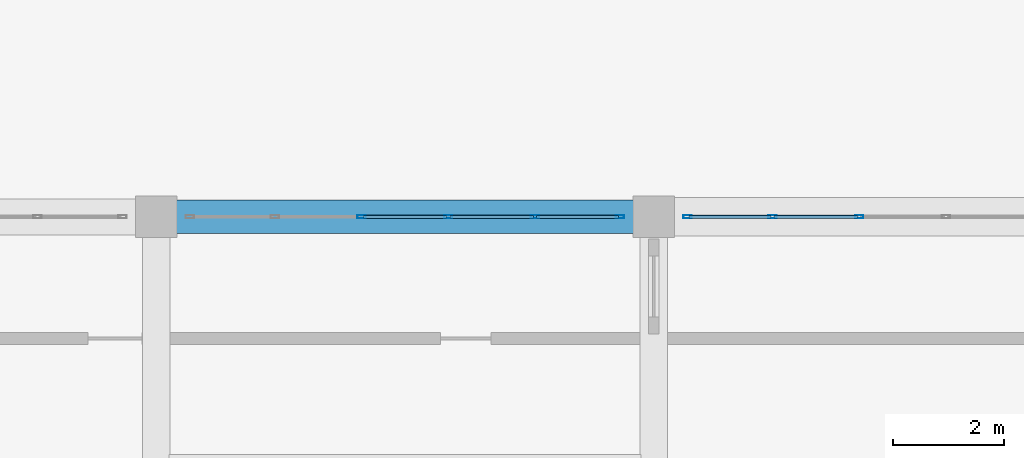
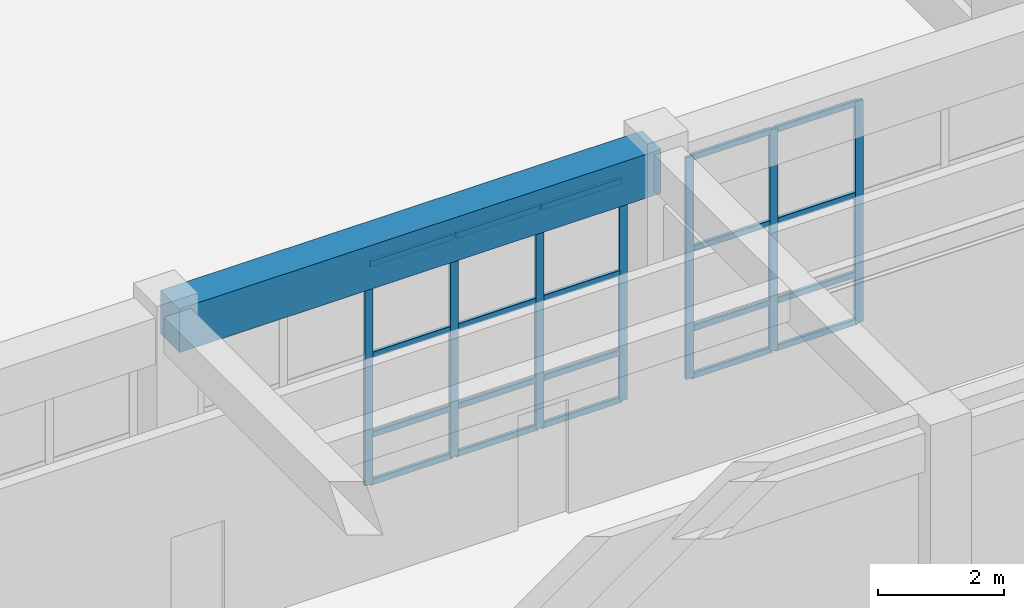
# One storey, part 31 of 128: 27 members, 1 beam, 2 elements without a shape of their own.
"""IFC4 building model written with IfcOpenShell, lengths in metres."""

from ifc_helpers import new_model, si_unit, direction, frame, origin, origin_2d, place, context, subcontext, project, spatial, rectangle, hollow_rectangle, extrude, material, material_profile, profile_set, type_object, element, aggregate, save


model = new_model("IFC4")

# Units and contexts
model_context = context("Model", 3, precision=1e-05, world=origin(), true_north=direction((0.0, 1.0)))
body_context = subcontext(model_context, "Body", "Model", "MODEL_VIEW")
ifc_project = project(units=[si_unit("LENGTHUNIT", "METRE"), si_unit("AREAUNIT", "SQUARE_METRE"), si_unit("VOLUMEUNIT", "CUBIC_METRE"), si_unit("PLANEANGLEUNIT", "RADIAN"), si_unit("MASSUNIT", "GRAM", prefix="KILO")], contexts=[model_context])

# Site, building, storey
site_placement = place(None, origin())
site = spatial("IfcSite", under=ifc_project, at=site_placement, CompositionType="ELEMENT")
building_placement = place(site_placement, origin())
building = spatial("IfcBuilding", under=site, at=building_placement, Name="Miravela Opera House", CompositionType="ELEMENT")
storey_placement = place(building_placement, origin())
storey = spatial("IfcBuildingStorey", under=building, at=storey_placement, Name="L00", CompositionType="ELEMENT", Elevation=0.0)

# Curtain wall, members
ifc_material_1 = material(Name="Anodised architectural bronze aluminium 6063-T6", Category="aluminium")
curtain_wall_type = type_object("IfcCurtainWallType", Name="ARC-CW-06", PredefinedType="NOTDEFINED", material=ifc_material_1)
curtain_wall_1_placement = place(storey_placement, origin())
curtain_wall_1 = element("IfcCurtainWall", 1, at=curtain_wall_1_placement, inside=storey, type_object=curtain_wall_type, Name="Courtyard Arcade Curtain Wall CW-L00-118", PredefinedType="NOTDEFINED")
ifc_material_profile_1 = material_profile(ifc_material_1, hollow_rectangle(XDim=0.06005859375, YDim=0.14990234375, WallThickness=0.00390625, InnerFilletRadius=0.001953125, OuterFilletRadius=0.00390625, at=origin_2d()), Name="CWM-60X150")
ifc_profile_set_1 = profile_set([ifc_material_profile_1])
member_type_1 = type_object("IfcMemberType", Name="ARC-CWM-150", PredefinedType="MULLION", material=ifc_profile_set_1)
member_1_placement = place(storey_placement, frame((48.716064453125, 9.0, 0.0), z_axis=(0.0, 0.0, 1.0), x_axis=(0.0, 1.0, 0.0)))
member_1 = element("IfcMember", 2, at=member_1_placement, type_object=member_type_1, Name="CW-06 mullion 3", PredefinedType="MULLION", context=body_context, shape_type="SweptSolid", body=[
    extrude(hollow_rectangle(XDim=0.06005859375, YDim=0.14990234375, WallThickness=0.00390625, InnerFilletRadius=0.001953125, OuterFilletRadius=0.00390625, at=origin_2d()), origin(), (0.0, 0.0, 1.0), 4.300048828125),
])
member_2_placement = place(storey_placement, frame((50.283935546875, 9.0, 0.0), z_axis=(0.0, 0.0, 1.0), x_axis=(0.0, 1.0, 0.0)))
member_2 = element("IfcMember", 3, at=member_2_placement, type_object=member_type_1, Name="CW-06 mullion 4", PredefinedType="MULLION", context=body_context, shape_type="SweptSolid", body=[
    extrude(hollow_rectangle(XDim=0.06005859375, YDim=0.14990234375, WallThickness=0.00390625, InnerFilletRadius=0.001953125, OuterFilletRadius=0.00390625, at=origin_2d()), origin(), (0.0, 0.0, 1.0), 4.300048828125),
])
member_3_placement = place(storey_placement, frame((51.85205078125, 9.0, 0.0), z_axis=(0.0, 0.0, 1.0), x_axis=(0.0, 1.0, 0.0)))
member_3 = element("IfcMember", 4, at=member_3_placement, type_object=member_type_1, Name="CW-06 mullion 5", PredefinedType="MULLION", context=body_context, shape_type="SweptSolid", body=[
    extrude(hollow_rectangle(XDim=0.06005859375, YDim=0.14990234375, WallThickness=0.00390625, InnerFilletRadius=0.001953125, OuterFilletRadius=0.00390625, at=origin_2d()), origin(), (0.0, 0.0, 1.0), 4.300048828125),
])
member_4_placement = place(storey_placement, frame((53.389892578125, 9.0, 0.0), z_axis=(0.0, 0.0, 1.0), x_axis=(0.0, 1.0, 0.0)))
member_4 = element("IfcMember", 5, at=member_4_placement, type_object=member_type_1, Name="CW-06 mullion 6", PredefinedType="MULLION", context=body_context, shape_type="SweptSolid", body=[
    extrude(hollow_rectangle(XDim=0.06005859375, YDim=0.14990234375, WallThickness=0.00390625, InnerFilletRadius=0.001953125, OuterFilletRadius=0.00390625, at=origin_2d()), origin(), (0.0, 0.0, 1.0), 4.300048828125),
])

curtain_wall_2_placement = place(storey_placement, origin())
curtain_wall_2 = element("IfcCurtainWall", 6, at=curtain_wall_2_placement, inside=storey, type_object=curtain_wall_type, Name="Courtyard Arcade Curtain Wall CW-L00-120", PredefinedType="NOTDEFINED")
member_5_placement = place(storey_placement, frame((54.610107421875, 9.0, 0.0), z_axis=(0.0, 0.0, 1.0), x_axis=(0.0, 1.0, 0.0)))
member_5 = element("IfcMember", 7, at=member_5_placement, type_object=member_type_1, Name="CW-06 mullion 1", PredefinedType="MULLION", context=body_context, shape_type="SweptSolid", body=[
    extrude(hollow_rectangle(XDim=0.06005859375, YDim=0.14990234375, WallThickness=0.00390625, InnerFilletRadius=0.001953125, OuterFilletRadius=0.00390625, at=origin_2d()), origin(), (0.0, 0.0, 1.0), 4.300048828125),
])
member_6_placement = place(storey_placement, frame((56.14794921875, 9.0, 0.0), z_axis=(0.0, 0.0, 1.0), x_axis=(0.0, 1.0, 0.0)))
member_6 = element("IfcMember", 8, at=member_6_placement, type_object=member_type_1, Name="CW-06 mullion 2", PredefinedType="MULLION", context=body_context, shape_type="SweptSolid", body=[
    extrude(hollow_rectangle(XDim=0.06005859375, YDim=0.14990234375, WallThickness=0.00390625, InnerFilletRadius=0.001953125, OuterFilletRadius=0.00390625, at=origin_2d()), origin(), (0.0, 0.0, 1.0), 4.300048828125),
])
member_7_placement = place(storey_placement, frame((57.716064453125, 9.0, 0.0), z_axis=(0.0, 0.0, 1.0), x_axis=(0.0, 1.0, 0.0)))
member_7 = element("IfcMember", 9, at=member_7_placement, type_object=member_type_1, Name="CW-06 mullion 3", PredefinedType="MULLION", context=body_context, shape_type="SweptSolid", body=[
    extrude(hollow_rectangle(XDim=0.06005859375, YDim=0.14990234375, WallThickness=0.00390625, InnerFilletRadius=0.001953125, OuterFilletRadius=0.00390625, at=origin_2d()), origin(), (0.0, 0.0, 1.0), 4.300048828125),
])

# Member
ifc_material_profile_2 = material_profile(ifc_material_1, hollow_rectangle(XDim=0.06005859375, YDim=0.114990234375, WallThickness=0.00390625, InnerFilletRadius=0.001953125, OuterFilletRadius=0.00390625, at=origin_2d()), Name="CWT-60X115")
ifc_profile_set_2 = profile_set([ifc_material_profile_2])
member_type_2 = type_object("IfcMemberType", Name="ARC-CWT-115", PredefinedType="USERDEFINED", material=ifc_profile_set_2)
member_8_placement = place(storey_placement, frame((48.74609375, 9.0, 0.030029296875), z_axis=(1.0, 0.0, 0.0), x_axis=(0.0, 1.0, 0.0)))
member_8 = element("IfcMember", 10, at=member_8_placement, type_object=member_type_2, Name="CW-06 transom 3.1", ObjectType="TRANSOM", PredefinedType="USERDEFINED", context=body_context, shape_type="SweptSolid", body=[
    extrude(hollow_rectangle(XDim=0.06005859375, YDim=0.114990234375, WallThickness=0.00390625, InnerFilletRadius=0.001953125, OuterFilletRadius=0.00390625, at=origin_2d()), origin(), (0.0, 0.0, 1.0), 1.5078125),
])

member_9_placement = place(storey_placement, frame((48.74609375, 9.0, 0.949951171875), z_axis=(1.0, 0.0, 0.0), x_axis=(0.0, 1.0, 0.0)))
member_9 = element("IfcMember", 11, at=member_9_placement, type_object=member_type_2, Name="CW-06 transom 3.2", ObjectType="TRANSOM", PredefinedType="USERDEFINED", context=body_context, shape_type="SweptSolid", body=[
    extrude(hollow_rectangle(XDim=0.06005859375, YDim=0.114990234375, WallThickness=0.00390625, InnerFilletRadius=0.001953125, OuterFilletRadius=0.00390625, at=origin_2d()), origin(), (0.0, 0.0, 1.0), 1.5078125),
])

member_10_placement = place(storey_placement, frame((48.74609375, 9.0, 2.493896484375), z_axis=(1.0, 0.0, 0.0), x_axis=(0.0, 1.0, 0.0)))
member_10 = element("IfcMember", 12, at=member_10_placement, type_object=member_type_2, Name="CW-06 transom 3.3", ObjectType="TRANSOM", PredefinedType="USERDEFINED", context=body_context, shape_type="SweptSolid", body=[
    extrude(hollow_rectangle(XDim=0.06005859375, YDim=0.114990234375, WallThickness=0.00390625, InnerFilletRadius=0.001953125, OuterFilletRadius=0.00390625, at=origin_2d()), origin(), (0.0, 0.0, 1.0), 1.5078125),
])

member_11_placement = place(storey_placement, frame((48.74609375, 9.0, 4.27001953125), z_axis=(1.0, 0.0, 0.0), x_axis=(0.0, 1.0, 0.0)))
member_11 = element("IfcMember", 13, at=member_11_placement, type_object=member_type_2, Name="CW-06 transom 3.4", ObjectType="TRANSOM", PredefinedType="USERDEFINED", context=body_context, shape_type="SweptSolid", body=[
    extrude(hollow_rectangle(XDim=0.06005859375, YDim=0.114990234375, WallThickness=0.00390625, InnerFilletRadius=0.001953125, OuterFilletRadius=0.00390625, at=origin_2d()), origin(), (0.0, 0.0, 1.0), 1.5078125),
])

member_12_placement = place(storey_placement, frame((50.31396484375, 9.0, 0.030029296875), z_axis=(1.0, 0.0, 0.0), x_axis=(0.0, 1.0, 0.0)))
member_12 = element("IfcMember", 14, at=member_12_placement, type_object=member_type_2, Name="CW-06 transom 4.1", ObjectType="TRANSOM", PredefinedType="USERDEFINED", context=body_context, shape_type="SweptSolid", body=[
    extrude(hollow_rectangle(XDim=0.06005859375, YDim=0.114990234375, WallThickness=0.00390625, InnerFilletRadius=0.001953125, OuterFilletRadius=0.00390625, at=origin_2d()), origin(), (0.0, 0.0, 1.0), 1.508056640625),
])

member_13_placement = place(storey_placement, frame((50.31396484375, 9.0, 0.949951171875), z_axis=(1.0, 0.0, 0.0), x_axis=(0.0, 1.0, 0.0)))
member_13 = element("IfcMember", 15, at=member_13_placement, type_object=member_type_2, Name="CW-06 transom 4.2", ObjectType="TRANSOM", PredefinedType="USERDEFINED", context=body_context, shape_type="SweptSolid", body=[
    extrude(hollow_rectangle(XDim=0.06005859375, YDim=0.114990234375, WallThickness=0.00390625, InnerFilletRadius=0.001953125, OuterFilletRadius=0.00390625, at=origin_2d()), origin(), (0.0, 0.0, 1.0), 1.508056640625),
])

member_14_placement = place(storey_placement, frame((50.31396484375, 9.0, 2.493896484375), z_axis=(1.0, 0.0, 0.0), x_axis=(0.0, 1.0, 0.0)))
member_14 = element("IfcMember", 16, at=member_14_placement, type_object=member_type_2, Name="CW-06 transom 4.3", ObjectType="TRANSOM", PredefinedType="USERDEFINED", context=body_context, shape_type="SweptSolid", body=[
    extrude(hollow_rectangle(XDim=0.06005859375, YDim=0.114990234375, WallThickness=0.00390625, InnerFilletRadius=0.001953125, OuterFilletRadius=0.00390625, at=origin_2d()), origin(), (0.0, 0.0, 1.0), 1.508056640625),
])

member_15_placement = place(storey_placement, frame((50.31396484375, 9.0, 4.27001953125), z_axis=(1.0, 0.0, 0.0), x_axis=(0.0, 1.0, 0.0)))
member_15 = element("IfcMember", 17, at=member_15_placement, type_object=member_type_2, Name="CW-06 transom 4.4", ObjectType="TRANSOM", PredefinedType="USERDEFINED", context=body_context, shape_type="SweptSolid", body=[
    extrude(hollow_rectangle(XDim=0.06005859375, YDim=0.114990234375, WallThickness=0.00390625, InnerFilletRadius=0.001953125, OuterFilletRadius=0.00390625, at=origin_2d()), origin(), (0.0, 0.0, 1.0), 1.508056640625),
])

member_16_placement = place(storey_placement, frame((51.882080078125, 9.0, 0.030029296875), z_axis=(1.0, 0.0, 0.0), x_axis=(0.0, 1.0, 0.0)))
member_16 = element("IfcMember", 18, at=member_16_placement, type_object=member_type_2, Name="CW-06 transom 5.1", ObjectType="TRANSOM", PredefinedType="USERDEFINED", context=body_context, shape_type="SweptSolid", body=[
    extrude(hollow_rectangle(XDim=0.06005859375, YDim=0.114990234375, WallThickness=0.00390625, InnerFilletRadius=0.001953125, OuterFilletRadius=0.00390625, at=origin_2d()), origin(), (0.0, 0.0, 1.0), 1.47802734375),
])

member_17_placement = place(storey_placement, frame((51.882080078125, 9.0, 0.949951171875), z_axis=(1.0, 0.0, 0.0), x_axis=(0.0, 1.0, 0.0)))
member_17 = element("IfcMember", 19, at=member_17_placement, type_object=member_type_2, Name="CW-06 transom 5.2", ObjectType="TRANSOM", PredefinedType="USERDEFINED", context=body_context, shape_type="SweptSolid", body=[
    extrude(hollow_rectangle(XDim=0.06005859375, YDim=0.114990234375, WallThickness=0.00390625, InnerFilletRadius=0.001953125, OuterFilletRadius=0.00390625, at=origin_2d()), origin(), (0.0, 0.0, 1.0), 1.47802734375),
])

member_18_placement = place(storey_placement, frame((51.882080078125, 9.0, 2.493896484375), z_axis=(1.0, 0.0, 0.0), x_axis=(0.0, 1.0, 0.0)))
member_18 = element("IfcMember", 20, at=member_18_placement, type_object=member_type_2, Name="CW-06 transom 5.3", ObjectType="TRANSOM", PredefinedType="USERDEFINED", context=body_context, shape_type="SweptSolid", body=[
    extrude(hollow_rectangle(XDim=0.06005859375, YDim=0.114990234375, WallThickness=0.00390625, InnerFilletRadius=0.001953125, OuterFilletRadius=0.00390625, at=origin_2d()), origin(), (0.0, 0.0, 1.0), 1.47802734375),
])

member_19_placement = place(storey_placement, frame((51.882080078125, 9.0, 4.27001953125), z_axis=(1.0, 0.0, 0.0), x_axis=(0.0, 1.0, 0.0)))
member_19 = element("IfcMember", 21, at=member_19_placement, type_object=member_type_2, Name="CW-06 transom 5.4", ObjectType="TRANSOM", PredefinedType="USERDEFINED", context=body_context, shape_type="SweptSolid", body=[
    extrude(hollow_rectangle(XDim=0.06005859375, YDim=0.114990234375, WallThickness=0.00390625, InnerFilletRadius=0.001953125, OuterFilletRadius=0.00390625, at=origin_2d()), origin(), (0.0, 0.0, 1.0), 1.47802734375),
])

aggregate(curtain_wall_1, [member_1, member_2, member_3, member_4, member_8, member_9, member_10, member_11, member_12, member_13, member_14, member_15, member_16, member_17, member_18, member_19])

member_20_placement = place(storey_placement, frame((54.639892578125, 9.0, 0.030029296875), z_axis=(1.0, 0.0, 0.0), x_axis=(0.0, 1.0, 0.0)))
member_20 = element("IfcMember", 22, at=member_20_placement, type_object=member_type_2, Name="CW-06 transom 1.1", ObjectType="TRANSOM", PredefinedType="USERDEFINED", context=body_context, shape_type="SweptSolid", body=[
    extrude(hollow_rectangle(XDim=0.06005859375, YDim=0.114990234375, WallThickness=0.00390625, InnerFilletRadius=0.001953125, OuterFilletRadius=0.00390625, at=origin_2d()), origin(), (0.0, 0.0, 1.0), 1.47802734375),
])

member_21_placement = place(storey_placement, frame((54.639892578125, 9.0, 0.949951171875), z_axis=(1.0, 0.0, 0.0), x_axis=(0.0, 1.0, 0.0)))
member_21 = element("IfcMember", 23, at=member_21_placement, type_object=member_type_2, Name="CW-06 transom 1.2", ObjectType="TRANSOM", PredefinedType="USERDEFINED", context=body_context, shape_type="SweptSolid", body=[
    extrude(hollow_rectangle(XDim=0.06005859375, YDim=0.114990234375, WallThickness=0.00390625, InnerFilletRadius=0.001953125, OuterFilletRadius=0.00390625, at=origin_2d()), origin(), (0.0, 0.0, 1.0), 1.47802734375),
])

member_22_placement = place(storey_placement, frame((54.639892578125, 9.0, 2.493896484375), z_axis=(1.0, 0.0, 0.0), x_axis=(0.0, 1.0, 0.0)))
member_22 = element("IfcMember", 24, at=member_22_placement, type_object=member_type_2, Name="CW-06 transom 1.3", ObjectType="TRANSOM", PredefinedType="USERDEFINED", context=body_context, shape_type="SweptSolid", body=[
    extrude(hollow_rectangle(XDim=0.06005859375, YDim=0.114990234375, WallThickness=0.00390625, InnerFilletRadius=0.001953125, OuterFilletRadius=0.00390625, at=origin_2d()), origin(), (0.0, 0.0, 1.0), 1.47802734375),
])

member_23_placement = place(storey_placement, frame((54.639892578125, 9.0, 4.27001953125), z_axis=(1.0, 0.0, 0.0), x_axis=(0.0, 1.0, 0.0)))
member_23 = element("IfcMember", 25, at=member_23_placement, type_object=member_type_2, Name="CW-06 transom 1.4", ObjectType="TRANSOM", PredefinedType="USERDEFINED", context=body_context, shape_type="SweptSolid", body=[
    extrude(hollow_rectangle(XDim=0.06005859375, YDim=0.114990234375, WallThickness=0.00390625, InnerFilletRadius=0.001953125, OuterFilletRadius=0.00390625, at=origin_2d()), origin(), (0.0, 0.0, 1.0), 1.47802734375),
])

member_24_placement = place(storey_placement, frame((56.177978515625, 9.0, 0.030029296875), z_axis=(1.0, 0.0, 0.0), x_axis=(0.0, 1.0, 0.0)))
member_24 = element("IfcMember", 26, at=member_24_placement, type_object=member_type_2, Name="CW-06 transom 2.1", ObjectType="TRANSOM", PredefinedType="USERDEFINED", context=body_context, shape_type="SweptSolid", body=[
    extrude(hollow_rectangle(XDim=0.06005859375, YDim=0.114990234375, WallThickness=0.00390625, InnerFilletRadius=0.001953125, OuterFilletRadius=0.00390625, at=origin_2d()), origin(), (0.0, 0.0, 1.0), 1.508056640625),
])

member_25_placement = place(storey_placement, frame((56.177978515625, 9.0, 0.949951171875), z_axis=(1.0, 0.0, 0.0), x_axis=(0.0, 1.0, 0.0)))
member_25 = element("IfcMember", 27, at=member_25_placement, type_object=member_type_2, Name="CW-06 transom 2.2", ObjectType="TRANSOM", PredefinedType="USERDEFINED", context=body_context, shape_type="SweptSolid", body=[
    extrude(hollow_rectangle(XDim=0.06005859375, YDim=0.114990234375, WallThickness=0.00390625, InnerFilletRadius=0.001953125, OuterFilletRadius=0.00390625, at=origin_2d()), origin(), (0.0, 0.0, 1.0), 1.508056640625),
])

member_26_placement = place(storey_placement, frame((56.177978515625, 9.0, 2.493896484375), z_axis=(1.0, 0.0, 0.0), x_axis=(0.0, 1.0, 0.0)))
member_26 = element("IfcMember", 28, at=member_26_placement, type_object=member_type_2, Name="CW-06 transom 2.3", ObjectType="TRANSOM", PredefinedType="USERDEFINED", context=body_context, shape_type="SweptSolid", body=[
    extrude(hollow_rectangle(XDim=0.06005859375, YDim=0.114990234375, WallThickness=0.00390625, InnerFilletRadius=0.001953125, OuterFilletRadius=0.00390625, at=origin_2d()), origin(), (0.0, 0.0, 1.0), 1.508056640625),
])

member_27_placement = place(storey_placement, frame((56.177978515625, 9.0, 4.27001953125), z_axis=(1.0, 0.0, 0.0), x_axis=(0.0, 1.0, 0.0)))
member_27 = element("IfcMember", 29, at=member_27_placement, type_object=member_type_2, Name="CW-06 transom 2.4", ObjectType="TRANSOM", PredefinedType="USERDEFINED", context=body_context, shape_type="SweptSolid", body=[
    extrude(hollow_rectangle(XDim=0.06005859375, YDim=0.114990234375, WallThickness=0.00390625, InnerFilletRadius=0.001953125, OuterFilletRadius=0.00390625, at=origin_2d()), origin(), (0.0, 0.0, 1.0), 1.508056640625),
])

aggregate(curtain_wall_2, [member_5, member_6, member_7, member_20, member_21, member_22, member_23, member_24, member_25, member_26, member_27])

# Beam
ifc_material_2 = material(Name="Concrete C40/50", Category="concrete")
ifc_material_profile_3 = material_profile(ifc_material_2, rectangle(XDim=0.60009765625, YDim=0.85009765625, at=origin_2d()), Name="RC-BM-600X850")
ifc_profile_set_3 = profile_set([ifc_material_profile_3])
beam_type = type_object("IfcBeamType", Name="STR-BM-RC600X850", PredefinedType="BEAM", material=ifc_profile_set_3)
beam_placement = place(storey_placement, frame((45.080078125, 9.0, 4.425048828125), z_axis=(1.0, 0.0, 0.0), x_axis=(0.0, 1.0, 0.0)))
element("IfcBeam", 30, at=beam_placement, inside=storey, type_object=beam_type, Name="Floor Girder L00 6-7/B", PredefinedType="BEAM", context=body_context, shape_type="SweptSolid", body=[
    extrude(rectangle(XDim=0.60009765625, YDim=0.85009765625, at=origin_2d()), origin(), (0.0, 0.0, 1.0), 8.83984375),
])

save(model, "model.ifc")
